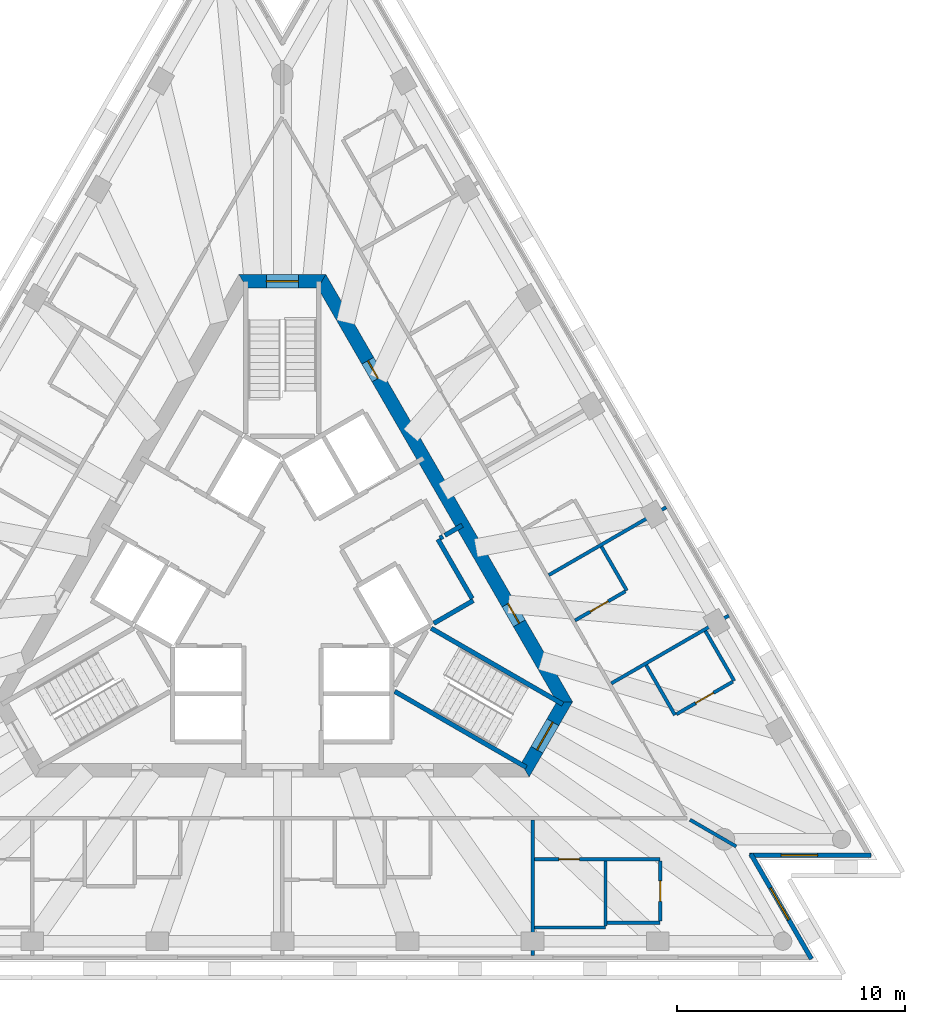
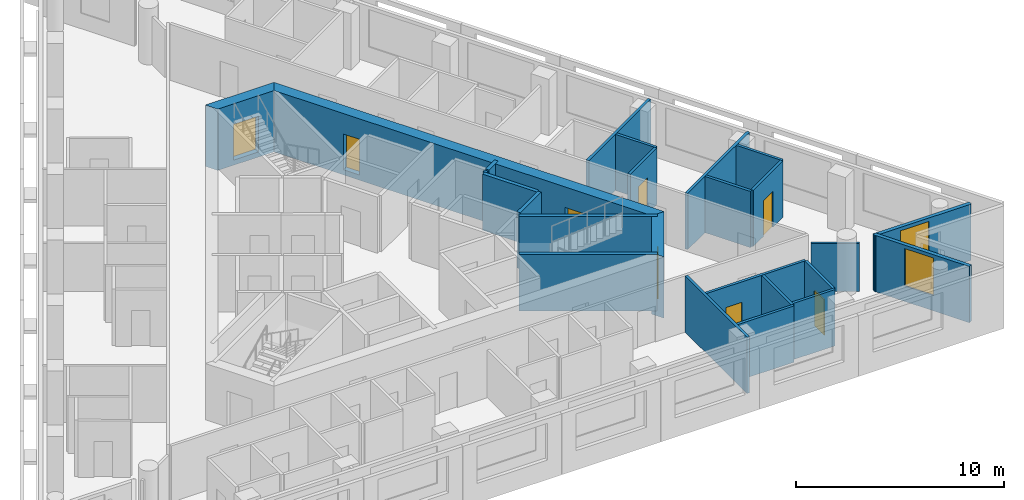
# One storey, part 6 of 9: 25 walls, 8 doors, 2 windows, 10 openings.
"""IFC4 building model written with IfcOpenShell, lengths in metres."""

from ifc_helpers import new_model, si_unit, direction, frame, frame_2d, origin, place, context, subcontext, project, spatial, polyline, rectangle, outline, extrude, material, layer, layer_set, layer_usage, type_object, element, fill, save


model = new_model("IFC4")

# Units and contexts
model_context = context("Model", 3, precision=1e-05, world=origin(), true_north=direction((0.0, 1.0)))
body_context = subcontext(model_context, "Body", "Model", "MODEL_VIEW")
ifc_project = project(units=[si_unit("LENGTHUNIT", "METRE"), si_unit("AREAUNIT", "SQUARE_METRE"), si_unit("VOLUMEUNIT", "CUBIC_METRE"), si_unit("PLANEANGLEUNIT", "RADIAN"), si_unit("MASSUNIT", "GRAM", prefix="KILO")], contexts=[model_context])

# Site, building, storey
site_placement = place(None, origin())
site = spatial("IfcSite", under=ifc_project, at=site_placement, CompositionType="ELEMENT")
building_placement = place(site_placement, origin())
building = spatial("IfcBuilding", under=site, at=building_placement, Name="Triada Interchange Tower", CompositionType="ELEMENT")
storey_placement = place(building_placement, frame((0.0, 0.0, 279.10009765625)))
storey = spatial("IfcBuildingStorey", under=building, at=storey_placement, Name="L65", CompositionType="ELEMENT", Elevation=279.10009765625)

# Walls
ifc_material_1 = material(Name="Concrete C30/37", Category="concrete")
ifc_layer_1 = layer(ifc_material_1, 0.199951171875)
ifc_layer_set_1 = layer_set([ifc_layer_1], Name="CORE WALL 200 EI 120")
wall_type_1 = type_object("IfcWallType", Name="CORE WALL 200 EI 120", PredefinedType="SOLIDWALL", material=ifc_layer_set_1)
wall_1_placement = place(storey_placement, frame((7.12890625, 2.153076171875, 0.0), z_axis=(0.0, 0.0, 1.0), x_axis=(0.866083962871, 0.499898558967, 0.0)))
element("IfcWall", 1, at=wall_1_placement, inside=storey, type_object=wall_type_1, Name="Wall L65 87", PredefinedType="SOLIDWALL", context=body_context, shape_type="SweptSolid", body=[
    extrude(rectangle(XDim=0.880126953125, YDim=0.199951171875, at=frame_2d((0.43994140625, 0.0))), origin(), (0.0, 0.0, 1.0), 3.2998046875),
])
ifc_layer_2 = layer(ifc_material_1, 0.199951171875)
ifc_layer_set_2 = layer_set([ifc_layer_2], Name="CORE WALL 200 EI 90")
wall_type_2 = type_object("IfcWallType", Name="CORE WALL 200 EI 90", PredefinedType="SOLIDWALL", material=ifc_layer_set_2)
wall_2_placement = place(storey_placement, frame((6.64208984375, -1.7080078125, 0.0), z_axis=(0.0, 0.0, 1.0), x_axis=(0.866043441391, 0.499968756647, 0.0)))
element("IfcWall", 2, at=wall_2_placement, inside=storey, type_object=wall_type_2, Name="Wall L65 112", PredefinedType="SOLIDWALL", context=body_context, shape_type="SweptSolid", body=[
    extrude(rectangle(XDim=2.002197265625, YDim=0.199951171875, at=frame_2d((1.0009765625, 0.0))), origin(), (0.0, 0.0, 1.0), 3.2998046875),
])
wall_3_placement = place(storey_placement, frame((6.825927734375, 1.97802734375, 0.0), z_axis=(0.0, 0.0, 1.0), x_axis=(0.499990139034, -0.866031096941, 0.0)))
element("IfcWall", 3, at=wall_3_placement, inside=storey, type_object=wall_type_2, Name="Wall L65 113", PredefinedType="SOLIDWALL", context=body_context, shape_type="SweptSolid", body=[
    extrude(rectangle(XDim=3.0, YDim=0.199951171875, at=frame_2d((1.5, 0.0))), origin(), (0.0, 0.0, 1.0), 3.2998046875),
])
wall_4_placement = place(storey_placement, frame((6.912109375, 2.028076171875, 0.0), z_axis=(0.0, 0.0, 1.0), x_axis=(0.866559367082, 0.499074005857, 0.0)))
element("IfcWall", 4, at=wall_4_placement, inside=storey, type_object=wall_type_2, Name="Wall L65 114", PredefinedType="SOLIDWALL", context=body_context, shape_type="SweptSolid", body=[
    extrude(rectangle(XDim=0.152099609375, YDim=0.199951171875, at=frame_2d((0.076171875, 0.0))), origin(), (0.0, 0.0, 1.0), 3.2998046875),
])
ifc_layer_3 = layer(ifc_material_1, 0.199951171875)
ifc_layer_set_3 = layer_set([ifc_layer_3], Name="CORE WALL 200 REI 240")
wall_type_3 = type_object("IfcWallType", Name="CORE WALL 200 REI 240", PredefinedType="SOLIDWALL", material=ifc_layer_set_3)
wall_5_placement = place(storey_placement, frame((6.529052734375, -1.922119140625, 0.0), z_axis=(0.0, 0.0, 1.0), x_axis=(0.866068467981, -0.499925403204, 0.0)))
element("IfcWall", 5, at=wall_5_placement, inside=storey, type_object=wall_type_3, Name="Wall L65 122", PredefinedType="SOLIDWALL", context=body_context, shape_type="SweptSolid", body=[
    extrude(rectangle(XDim=6.66455078125, YDim=0.199951171875, at=frame_2d((3.332275390625, 0.0))), origin(), (0.0, 0.0, 1.0), 3.2998046875),
])
wall_6_placement = place(storey_placement, frame((4.928955078125, -4.693115234375, 0.0), z_axis=(0.0, 0.0, 1.0), x_axis=(0.866005022404, -0.500035299925, 0.0)))
element("IfcWall", 6, at=wall_6_placement, inside=storey, type_object=wall_type_3, Name="Wall L65 123", PredefinedType="SOLIDWALL", context=body_context, shape_type="SweptSolid", body=[
    extrude(rectangle(XDim=6.6650390625, YDim=0.199951171875, at=frame_2d((3.33251953125, 0.0))), origin(), (0.0, 0.0, 1.0), 3.2998046875),
])

# Wall, opening, door
ifc_material_2 = material(Name="Concrete C40/50", Category="concrete")
ifc_layer_4 = layer(ifc_material_2, 0.60009765625)
ifc_layer_set_4 = layer_set([ifc_layer_4], Name="Core wall D 600")
wall_type_4 = type_object("IfcWallType", Name="Core wall D 600", PredefinedType="SHEAR", material=ifc_layer_set_4)
wall_7_placement = place(storey_placement, frame((1.73193359375, 13.300048828125, -0.300048828125), z_axis=(0.0, 0.0, 1.0), x_axis=(-1.0, 0.0, 0.0)))
wall_7 = element("IfcWall", 7, at=wall_7_placement, inside=storey, type_object=wall_type_4, Name="Core wall WD01 L65", PredefinedType="SHEAR", context=body_context, shape_type="SweptSolid", body=[
    extrude(outline(polyline([(-0.173095703125, -0.300048828125), (1.73193359375, -0.300048828125), (3.636962890625, -0.300048828125), (3.291015625, 0.300048828125), (1.73193359375, 0.300048828125), (0.173095703125, 0.300048828125), (-0.173095703125, -0.300048828125)])), origin(), (0.0, 0.0, 1.0), 3.599853515625),
])
opening_1_placement = place(wall_7_placement, frame((1.031982421875, 0.0, 0.300048828125)))
opening_1 = element("IfcOpeningElement", 8, at=opening_1_placement, cuts=wall_7, Name="Opening D65-49", PredefinedType="OPENING", context=body_context, shape_type="SweptSolid", body=[
    extrude(rectangle(XDim=1.39990234375, YDim=2.10009765625, at=frame_2d((0.699951171875, 1.050048828125))), frame((0.0, 0.31005859375, 0.0), z_axis=(0.0, -1.0, 0.0), x_axis=(1.0, 0.0, 0.0)), (0.0, 0.0, 1.0), 0.6201171875),
])
ifc_material_3 = material(Name="Steel S235 door leaf", Category="steel")
door_type_1 = type_object("IfcDoorType", Name="STAIR DOOR 1400 EI2 90-C5S200", OperationType="DOUBLE_DOOR_SINGLE_SWING", PredefinedType="DOOR", material=ifc_material_3)
door_1_placement = place(opening_1_placement, origin())
door_1 = element("IfcDoor", 9, at=door_1_placement, inside=storey, type_object=door_type_1, Name="Door D65-49 L65", OperationType="DOUBLE_DOOR_SINGLE_SWING", OverallHeight=2.10009765625, OverallWidth=1.39990234375, PredefinedType="DOOR", context=body_context, shape_type="SweptSolid", body=[
    extrude(rectangle(XDim=1.39990234375, YDim=2.10009765625, at=frame_2d((0.699951171875, 1.050048828125))), frame((0.0, 0.02490234375, 0.0), z_axis=(0.0, -1.0, 0.0), x_axis=(1.0, 0.0, 0.0)), (0.0, 0.0, 1.0), 0.050048828125),
])
fill(opening_1, door_1)

wall_8_placement = place(storey_placement, frame((10.652099609375, -8.14990234375, -0.300048828125), z_axis=(0.0, 0.0, 1.0), x_axis=(0.49997462182, 0.866040055388, 0.0)))
wall_8 = element("IfcWall", 10, at=wall_8_placement, inside=storey, type_object=wall_type_4, Name="Core wall WD05 L65", PredefinedType="SHEAR", context=body_context, shape_type="SweptSolid", body=[
    extrude(outline(polyline([(-0.173095703125, -0.300048828125), (1.732421875, -0.300537109375), (3.637939453125, -0.301025390625), (3.291015625, 0.300048828125), (1.73193359375, 0.300048828125), (0.173095703125, 0.300048828125), (-0.173095703125, -0.300048828125)])), origin(), (0.0, 0.0, 1.0), 3.599853515625),
])
opening_2_placement = place(wall_8_placement, frame((1.031982421875, 0.0, 0.300048828125)))
opening_2 = element("IfcOpeningElement", 11, at=opening_2_placement, cuts=wall_8, Name="Opening D65-51", PredefinedType="OPENING", context=body_context, shape_type="SweptSolid", body=[
    extrude(rectangle(XDim=1.39990234375, YDim=2.10009765625, at=frame_2d((0.699951171875, 1.050048828125))), frame((0.0, 0.31005859375, 0.0), z_axis=(0.0, -1.0, 0.0), x_axis=(1.0, 0.0, 0.0)), (0.0, 0.0, 1.0), 0.62109375),
])
door_2_placement = place(opening_2_placement, origin())
door_2 = element("IfcDoor", 12, at=door_2_placement, inside=storey, type_object=door_type_1, Name="Door D65-51 L65", OperationType="DOUBLE_DOOR_SINGLE_SWING", OverallHeight=2.10009765625, OverallWidth=1.39990234375, PredefinedType="DOOR", context=body_context, shape_type="SweptSolid", body=[
    extrude(rectangle(XDim=1.39990234375, YDim=2.10009765625, at=frame_2d((0.699951171875, 1.050048828125))), frame((0.0, 0.02490234375, 0.0), z_axis=(0.0, -1.0, 0.0), x_axis=(1.0, 0.0, 0.0)), (0.0, 0.0, 1.0), 0.050048828125),
])
fill(opening_2, door_2)

# Wall, openings, doors
wall_9_placement = place(storey_placement, frame((12.384033203125, -5.14990234375, -0.300048828125), z_axis=(0.0, 0.0, 1.0), x_axis=(-0.500000539815, 0.866025092122, 0.0)))
wall_9 = element("IfcWall", 13, at=wall_9_placement, inside=storey, type_object=wall_type_4, Name="Core wall WD06 L65", PredefinedType="SHEAR", context=body_context, shape_type="SweptSolid", body=[
    extrude(outline(polyline([(-0.173095703125, -0.301025390625), (1.795166015625, -0.301025390625), (3.76318359375, -0.30078125), (5.7314453125, -0.30078125), (7.69970703125, -0.30078125), (9.66796875, -0.300537109375), (11.635986328125, -0.300537109375), (13.604248046875, -0.30029296875), (15.572509765625, -0.30029296875), (17.540771484375, -0.30029296875), (19.5087890625, -0.300048828125), (21.47705078125, -0.300048828125), (21.131103515625, 0.300048828125), (19.225830078125, 0.300048828125), (17.320556640625, 0.300048828125), (15.415283203125, 0.300048828125), (13.510009765625, 0.300048828125), (11.604736328125, 0.300048828125), (9.699462890625, 0.300048828125), (7.794189453125, 0.300048828125), (5.888916015625, 0.300048828125), (3.983642578125, 0.300048828125), (2.078369140625, 0.300048828125), (0.173095703125, 0.300048828125), (-0.173095703125, -0.301025390625)])), origin(), (0.0, 0.0, 1.0), 3.599853515625),
])
opening_3_placement = place(wall_9_placement, frame((16.3779296875, 0.0, 0.300048828125)))
opening_3 = element("IfcOpeningElement", 14, at=opening_3_placement, cuts=wall_9, Name="Opening D65-55", PredefinedType="OPENING", context=body_context, shape_type="SweptSolid", body=[
    extrude(rectangle(XDim=0.89990234375, YDim=2.10009765625, at=frame_2d((0.449951171875, 1.050048828125))), frame((0.0, 0.31005859375, 0.0), z_axis=(0.0, -1.0, 0.0), x_axis=(1.0, 0.0, 0.0)), (0.0, 0.0, 1.0), 0.62109375),
])
opening_4_placement = place(wall_9_placement, frame((3.97607421875, 0.0, 0.300048828125)))
opening_4 = element("IfcOpeningElement", 15, at=opening_4_placement, cuts=wall_9, Name="Opening D65-57", PredefinedType="OPENING", context=body_context, shape_type="SweptSolid", body=[
    extrude(rectangle(XDim=1.0, YDim=2.10009765625, at=frame_2d((0.5, 1.050048828125))), frame((0.0, 0.31005859375, 0.0), z_axis=(0.0, -1.0, 0.0), x_axis=(1.0, 0.0, 0.0)), (0.0, 0.0, 1.0), 0.62109375),
])
door_type_2 = type_object("IfcDoorType", Name="SERVICE DOOR 1000 EI2 45-C5S200", OperationType="NOTDEFINED", PredefinedType="DOOR", material=ifc_material_3)
door_3_placement = place(opening_4_placement, origin())
door_3 = element("IfcDoor", 16, at=door_3_placement, inside=storey, type_object=door_type_2, Name="Door D65-57 L65", OperationType="SINGLE_SWING_RIGHT", OverallHeight=2.10009765625, OverallWidth=1.0, PredefinedType="DOOR", context=body_context, shape_type="SweptSolid", body=[
    extrude(rectangle(XDim=1.0, YDim=2.10009765625, at=frame_2d((0.5, 1.050048828125))), frame((0.0, 0.02490234375, 0.0), z_axis=(0.0, -1.0, 0.0), x_axis=(1.0, 0.0, 0.0)), (0.0, 0.0, 1.0), 0.050048828125),
])
fill(opening_4, door_3)
door_type_3 = type_object("IfcDoorType", Name="SERVICE DOOR 900 EI2 45-C5S200", OperationType="NOTDEFINED", PredefinedType="DOOR", material=ifc_material_3)
door_4_placement = place(opening_3_placement, origin())
door_4 = element("IfcDoor", 17, at=door_4_placement, inside=storey, type_object=door_type_3, Name="Door D65-55 L65", OperationType="SINGLE_SWING_RIGHT", OverallHeight=2.10009765625, OverallWidth=0.89990234375, PredefinedType="DOOR", context=body_context, shape_type="SweptSolid", body=[
    extrude(rectangle(XDim=0.89990234375, YDim=2.10009765625, at=frame_2d((0.449951171875, 1.050048828125))), frame((0.0, 0.02490234375, 0.0), z_axis=(0.0, -1.0, 0.0), x_axis=(1.0, 0.0, 0.0)), (0.0, 0.0, 1.0), 0.050048828125),
])
fill(opening_3, door_4)

# Wall, opening, window
ifc_material_4 = material(Name="Cement board")
ifc_layer_5 = layer(ifc_material_4, 0.02001953125, Name="Cement board cladding")
ifc_material_5 = material(Name="Sheathing board")
ifc_layer_6 = layer(ifc_material_5, 0.014892578125, Name="Sheathing board")
ifc_material_6 = material(Name="Mineral wool")
ifc_layer_7 = layer(ifc_material_6, 0.14990234375, Name="Mineral wool between steel studs")
ifc_material_7 = material(Name="Gypsum board")
ifc_layer_8 = layer(ifc_material_7, 0.014892578125, Name="Plasterboard lining")
ifc_layer_set_5 = layer_set([ifc_layer_5, ifc_layer_6, ifc_layer_7, ifc_layer_8], Name="External wall 200")
ifc_layer_usage = layer_usage(ifc_layer_set_5, "AXIS2", "POSITIVE", -0.10009765625)
wall_type_5 = type_object("IfcWallType", Name="External wall 200", PredefinedType="ELEMENTEDWALL", material=ifc_layer_set_5)
wall_10_placement = place(storey_placement, frame((23.2099609375, -16.431884765625, 0.0), z_axis=(0.0, 0.0, 1.0), x_axis=(-0.499854840714, 0.866109195318, 0.0)))
wall_10 = element("IfcWall", 18, at=wall_10_placement, inside=storey, type_object=wall_type_5, material=ifc_layer_usage, Name="External wall L65 SE-1", PredefinedType="ELEMENTEDWALL", context=body_context, shape_type="SweptSolid", body=[
    extrude(rectangle(XDim=5.3212890625, YDim=0.199951171875, at=frame_2d((2.66064453125, 0.0))), origin(), (0.0, 0.0, 1.0), 3.2998046875),
])
opening_5_placement = place(wall_10_placement, frame((1.989990234375, 0.0, 0.89990234375)))
opening_5 = element("IfcOpeningElement", 19, at=opening_5_placement, cuts=wall_10, Name="Opening WD19", PredefinedType="OPENING", context=body_context, shape_type="SweptSolid", body=[
    extrude(rectangle(XDim=1.60009765625, YDim=2.199951171875, at=frame_2d((0.800048828125, 1.10009765625))), frame((0.0, 0.10986328125, 0.0), z_axis=(0.0, -1.0, 0.0), x_axis=(1.0, 0.0, 0.0)), (0.0, 0.0, 1.0), 0.219970703125),
])
ifc_material_8 = material(Name="Double glazed aluminium window", Category="aluminium")
window_type = type_object("IfcWindowType", Name="Ribbon window D pocket", PartitioningType="SINGLE_PANEL", PredefinedType="WINDOW", material=ifc_material_8)
window_1_placement = place(opening_5_placement, origin())
window_1 = element("IfcWindow", 20, at=window_1_placement, inside=storey, type_object=window_type, Name="Window L65 SE-1 1", OverallHeight=2.199951171875, OverallWidth=1.60009765625, PartitioningType="SINGLE_PANEL", PredefinedType="WINDOW", context=body_context, shape_type="SweptSolid", body=[
    extrude(rectangle(XDim=1.60009765625, YDim=2.199951171875, at=frame_2d((0.800048828125, 1.10009765625))), frame((0.0, 0.030029296875, 0.0), z_axis=(0.0, -1.0, 0.0), x_axis=(1.0, 0.0, 0.0)), (0.0, 0.0, 1.0), 0.06005859375),
])
fill(opening_5, window_1)

wall_11_placement = place(storey_placement, frame((20.4951171875, -11.884033203125, 0.0), z_axis=(0.0, 0.0, 1.0), x_axis=(1.0, 0.0, 0.0)))
wall_11 = element("IfcWall", 21, at=wall_11_placement, inside=storey, type_object=wall_type_5, material=ifc_layer_usage, Name="External wall L65 SE-2", PredefinedType="ELEMENTEDWALL", context=body_context, shape_type="SweptSolid", body=[
    extrude(rectangle(XDim=5.32080078125, YDim=0.199951171875, at=frame_2d((2.660400390625, 0.0))), origin(), (0.0, 0.0, 1.0), 3.2998046875),
])
opening_6_placement = place(wall_11_placement, frame((1.389892578125, 0.0, 0.89990234375)))
opening_6 = element("IfcOpeningElement", 22, at=opening_6_placement, cuts=wall_11, Name="Opening WD20", PredefinedType="OPENING", context=body_context, shape_type="SweptSolid", body=[
    extrude(rectangle(XDim=1.60009765625, YDim=2.199951171875, at=frame_2d((0.800048828125, 1.10009765625))), frame((0.0, 0.10986328125, 0.0), z_axis=(0.0, -1.0, 0.0), x_axis=(1.0, 0.0, 0.0)), (0.0, 0.0, 1.0), 0.219970703125),
])
window_2_placement = place(opening_6_placement, origin())
window_2 = element("IfcWindow", 23, at=window_2_placement, inside=storey, type_object=window_type, Name="Window L65 SE-2 1", OverallHeight=2.199951171875, OverallWidth=1.60009765625, PartitioningType="SINGLE_PANEL", PredefinedType="WINDOW", context=body_context, shape_type="SweptSolid", body=[
    extrude(rectangle(XDim=1.60009765625, YDim=2.199951171875, at=frame_2d((0.800048828125, 1.10009765625))), frame((0.0, 0.030029296875, 0.0), z_axis=(0.0, -1.0, 0.0), x_axis=(1.0, 0.0, 0.0)), (0.0, 0.0, 1.0), 0.06005859375),
])
fill(opening_6, window_2)

# Walls
ifc_material_9 = material(Name="Gypsum board partition")
ifc_layer_9 = layer(ifc_material_9, 0.14990234375)
ifc_layer_set_6 = layer_set([ifc_layer_9], Name="PARTITION 150 EI 180")
wall_type_6 = type_object("IfcWallType", Name="PARTITION 150 EI 180", PredefinedType="PARTITIONING", material=ifc_layer_set_6)
wall_12_placement = place(storey_placement, frame((17.883056640625, -10.324951171875, 0.0), z_axis=(0.0, 0.0, 1.0), x_axis=(0.865928350888, -0.500168062883, 0.0)))
element("IfcWall", 24, at=wall_12_placement, inside=storey, type_object=wall_type_6, Name="Wall L65 7", PredefinedType="PARTITIONING", context=body_context, shape_type="SweptSolid", body=[
    extrude(rectangle(XDim=2.339599609375, YDim=0.14990234375, at=frame_2d((1.169921875, 0.0))), origin(), (0.0, 0.0, 1.0), 2.7998046875),
])
wall_13_placement = place(storey_placement, frame((10.97607421875, -16.27392578125, 0.0), z_axis=(0.0, 0.0, 1.0), x_axis=(0.0, 1.0, 0.0)))
element("IfcWall", 25, at=wall_13_placement, inside=storey, type_object=wall_type_6, Name="Wall L65 28", PredefinedType="PARTITIONING", context=body_context, shape_type="SweptSolid", body=[
    extrude(rectangle(XDim=5.948974609375, YDim=0.14990234375, at=frame_2d((2.974609375, 0.0))), origin(), (0.0, 0.0, 1.0), 3.2998046875),
])
wall_14_placement = place(storey_placement, frame((11.68603515625, 0.408935546875, 0.0), z_axis=(0.0, 0.0, 1.0), x_axis=(0.865976450533, 0.500084779935, 0.0)))
element("IfcWall", 26, at=wall_14_placement, inside=storey, type_object=wall_type_6, Name="Wall L65 29", PredefinedType="PARTITIONING", context=body_context, shape_type="SweptSolid", body=[
    extrude(rectangle(XDim=5.94921875, YDim=0.14990234375, at=frame_2d((2.974609375, 0.0))), origin(), (0.0, 0.0, 1.0), 3.2998046875),
])
wall_15_placement = place(storey_placement, frame((14.429931640625, -4.343017578125, 0.0), z_axis=(0.0, 0.0, 1.0), x_axis=(0.865986712877, 0.50006700863, 0.0)))
element("IfcWall", 27, at=wall_15_placement, inside=storey, type_object=wall_type_6, Name="Wall L65 30", PredefinedType="PARTITIONING", context=body_context, shape_type="SweptSolid", body=[
    extrude(rectangle(XDim=5.949462890625, YDim=0.14990234375, at=frame_2d((2.974609375, 0.0))), origin(), (0.0, 0.0, 1.0), 3.2998046875),
])

# Wall, opening, door
ifc_layer_10 = layer(ifc_material_9, 0.14990234375)
ifc_layer_set_7 = layer_set([ifc_layer_10], Name="PARTITION 150 EI 90")
wall_type_7 = type_object("IfcWallType", Name="PARTITION 150 EI 90", PredefinedType="PARTITIONING", material=ifc_layer_set_7)
wall_16_placement = place(storey_placement, frame((11.051025390625, -12.050048828125, 0.0), z_axis=(0.0, 0.0, 1.0), x_axis=(1.0, 0.0, 0.0)))
wall_16 = element("IfcWall", 28, at=wall_16_placement, inside=storey, type_object=wall_type_7, Name="Wall L65 40", PredefinedType="PARTITIONING", context=body_context, shape_type="SweptSolid", body=[
    extrude(rectangle(XDim=5.52490234375, YDim=0.14990234375, at=frame_2d((2.762451171875, 0.0))), origin(), (0.0, 0.0, 1.0), 3.2998046875),
])
opening_7_placement = place(wall_16_placement, frame((1.074951171875, 0.0, 0.0)))
opening_7 = element("IfcOpeningElement", 29, at=opening_7_placement, cuts=wall_16, Name="Opening D65-23", PredefinedType="OPENING", context=body_context, shape_type="SweptSolid", body=[
    extrude(rectangle(XDim=0.89990234375, YDim=2.10009765625, at=frame_2d((0.449951171875, 1.050048828125))), frame((0.0, 0.0849609375, 0.0), z_axis=(0.0, -1.0, 0.0), x_axis=(1.0, 0.0, 0.0)), (0.0, 0.0, 1.0), 0.169921875),
])
door_type_4 = type_object("IfcDoorType", Name="ROOM DOOR 900 EI2 45-C5S200", OperationType="NOTDEFINED", PredefinedType="DOOR", material=ifc_material_3)
door_5_placement = place(opening_7_placement, origin())
door_5 = element("IfcDoor", 30, at=door_5_placement, inside=storey, type_object=door_type_4, Name="Door D65-23 L65", OperationType="SINGLE_SWING_RIGHT", OverallHeight=2.10009765625, OverallWidth=0.89990234375, PredefinedType="DOOR", context=body_context, shape_type="SweptSolid", body=[
    extrude(rectangle(XDim=0.89990234375, YDim=2.10009765625, at=frame_2d((0.449951171875, 1.050048828125))), frame((0.0, 0.02490234375, 0.0), z_axis=(0.0, -1.0, 0.0), x_axis=(1.0, 0.0, 0.0)), (0.0, 0.0, 1.0), 0.050048828125),
])
fill(opening_7, door_5)

# Walls
wall_17_placement = place(storey_placement, frame((14.2509765625, -14.85009765625, 0.0), z_axis=(0.0, 0.0, 1.0), x_axis=(1.0, 0.0, 0.0)))
element("IfcWall", 31, at=wall_17_placement, inside=storey, type_object=wall_type_7, Name="Wall L65 43", PredefinedType="PARTITIONING", context=body_context, shape_type="SweptSolid", body=[
    extrude(rectangle(XDim=2.324951171875, YDim=0.14990234375, at=frame_2d((1.16259765625, 0.0))), origin(), (0.0, 0.0, 1.0), 3.2998046875),
])
wall_18_placement = place(storey_placement, frame((11.051025390625, -15.050048828125, 0.0), z_axis=(0.0, 0.0, 1.0), x_axis=(1.0, 0.0, 0.0)))
element("IfcWall", 32, at=wall_18_placement, inside=storey, type_object=wall_type_7, Name="Wall L65 45", PredefinedType="PARTITIONING", context=body_context, shape_type="SweptSolid", body=[
    extrude(rectangle(XDim=3.125, YDim=0.14990234375, at=frame_2d((1.5625, 0.0))), origin(), (0.0, 0.0, 1.0), 3.2998046875),
])
wall_19_placement = place(storey_placement, frame((15.9609375, -3.544921875, 0.0), z_axis=(0.0, 0.0, 1.0), x_axis=(0.499789415832, -0.866146950478, 0.0)))
element("IfcWall", 33, at=wall_19_placement, inside=storey, type_object=wall_type_7, Name="Wall L65 55", PredefinedType="PARTITIONING", context=body_context, shape_type="SweptSolid", body=[
    extrude(rectangle(XDim=2.52490234375, YDim=0.14990234375, at=frame_2d((1.262451171875, 0.0))), origin(), (0.0, 0.0, 1.0), 3.2998046875),
])
wall_20_placement = place(storey_placement, frame((18.55908203125, -2.044921875, 0.0), z_axis=(0.0, 0.0, 1.0), x_axis=(0.500079482444, -0.865979509711, 0.0)))
element("IfcWall", 34, at=wall_20_placement, inside=storey, type_object=wall_type_7, Name="Wall L65 57", PredefinedType="PARTITIONING", context=body_context, shape_type="SweptSolid", body=[
    extrude(rectangle(XDim=2.525390625, YDim=0.14990234375, at=frame_2d((1.2626953125, 0.0))), origin(), (0.0, 0.0, 1.0), 3.2998046875),
])
wall_21_placement = place(storey_placement, frame((13.9970703125, 1.656982421875, 0.0), z_axis=(0.0, 0.0, 1.0), x_axis=(0.499750953666, -0.866169143014, 0.0)))
element("IfcWall", 35, at=wall_21_placement, inside=storey, type_object=wall_type_7, Name="Wall L65 63", PredefinedType="PARTITIONING", context=body_context, shape_type="SweptSolid", body=[
    extrude(rectangle(XDim=2.224853515625, YDim=0.14990234375, at=frame_2d((1.1123046875, 0.0))), origin(), (0.0, 0.0, 1.0), 3.2998046875),
])
wall_22_placement = place(storey_placement, frame((14.176025390625, -14.97509765625, 0.0), z_axis=(0.0, 0.0, 1.0), x_axis=(0.0, 1.0, 0.0)))
element("IfcWall", 36, at=wall_22_placement, inside=storey, type_object=wall_type_7, Name="Wall L65 64", PredefinedType="PARTITIONING", context=body_context, shape_type="SweptSolid", body=[
    extrude(rectangle(XDim=2.85009765625, YDim=0.14990234375, at=frame_2d((1.425048828125, 0.0))), origin(), (0.0, 0.0, 1.0), 3.2998046875),
])

# Wall, opening, door
wall_23_placement = place(storey_placement, frame((12.8359375, -1.58203125, 0.0), z_axis=(0.0, 0.0, 1.0), x_axis=(0.865965520905, 0.500103705848, 0.0)))
wall_23 = element("IfcWall", 37, at=wall_23_placement, inside=storey, type_object=wall_type_7, Name="Wall L65 65", PredefinedType="PARTITIONING", context=body_context, shape_type="SweptSolid", body=[
    extrude(rectangle(XDim=2.5498046875, YDim=0.14990234375, at=frame_2d((1.27490234375, 0.0))), origin(), (0.0, 0.0, 1.0), 3.2998046875),
])
opening_8_placement = place(wall_23_placement, frame((0.77490234375, 0.0, 0.0)))
opening_8 = element("IfcOpeningElement", 38, at=opening_8_placement, cuts=wall_23, Name="Opening D65-28", PredefinedType="OPENING", context=body_context, shape_type="SweptSolid", body=[
    extrude(rectangle(XDim=0.89990234375, YDim=2.10009765625, at=frame_2d((0.449951171875, 1.050048828125))), frame((0.0, 0.0849609375, 0.0), z_axis=(0.0, -1.0, 0.0), x_axis=(1.0, 0.0, 0.0)), (0.0, 0.0, 1.0), 0.169921875),
])
door_6_placement = place(opening_8_placement, origin())
door_6 = element("IfcDoor", 39, at=door_6_placement, inside=storey, type_object=door_type_4, Name="Door D65-28 L65", OperationType="SINGLE_SWING_LEFT", OverallHeight=2.10009765625, OverallWidth=0.89990234375, PredefinedType="DOOR", context=body_context, shape_type="SweptSolid", body=[
    extrude(rectangle(XDim=0.89990234375, YDim=2.10009765625, at=frame_2d((0.449951171875, 1.050048828125))), frame((0.0, 0.02490234375, 0.0), z_axis=(0.0, -1.0, 0.0), x_axis=(1.0, 0.0, 0.0)), (0.0, 0.0, 1.0), 0.050048828125),
])
fill(opening_8, door_6)

wall_24_placement = place(storey_placement, frame((16.575927734375, -14.77490234375, 0.0), z_axis=(0.0, 0.0, 1.0), x_axis=(0.0, 1.0, 0.0)))
wall_24 = element("IfcWall", 40, at=wall_24_placement, inside=storey, type_object=wall_type_7, Name="Wall L65 67", PredefinedType="PARTITIONING", context=body_context, shape_type="SweptSolid", body=[
    extrude(rectangle(XDim=2.64990234375, YDim=0.14990234375, at=frame_2d((1.324951171875, 0.0))), origin(), (0.0, 0.0, 1.0), 3.2998046875),
])
opening_9_placement = place(wall_24_placement, frame((0.875, 0.0, 0.0)))
opening_9 = element("IfcOpeningElement", 41, at=opening_9_placement, cuts=wall_24, Name="Opening D65-24", PredefinedType="OPENING", context=body_context, shape_type="SweptSolid", body=[
    extrude(rectangle(XDim=0.89990234375, YDim=2.10009765625, at=frame_2d((0.449951171875, 1.050048828125))), frame((0.0, 0.0849609375, 0.0), z_axis=(0.0, -1.0, 0.0), x_axis=(1.0, 0.0, 0.0)), (0.0, 0.0, 1.0), 0.169921875),
])
door_7_placement = place(opening_9_placement, origin())
door_7 = element("IfcDoor", 42, at=door_7_placement, inside=storey, type_object=door_type_3, Name="Door D65-24 L65", OperationType="SINGLE_SWING_LEFT", OverallHeight=2.10009765625, OverallWidth=0.89990234375, PredefinedType="DOOR", context=body_context, shape_type="SweptSolid", body=[
    extrude(rectangle(XDim=0.89990234375, YDim=2.10009765625, at=frame_2d((0.449951171875, 1.050048828125))), frame((0.0, 0.02490234375, 0.0), z_axis=(0.0, -1.0, 0.0), x_axis=(1.0, 0.0, 0.0)), (0.0, 0.0, 1.0), 0.050048828125),
])
fill(opening_9, door_7)

wall_25_placement = place(storey_placement, frame((17.2880859375, -5.694091796875, 0.0), z_axis=(0.0, 0.0, 1.0), x_axis=(0.866090043625, 0.499888023795, 0.0)))
wall_25 = element("IfcWall", 43, at=wall_25_placement, inside=storey, type_object=wall_type_7, Name="Wall L65 68", PredefinedType="PARTITIONING", context=body_context, shape_type="SweptSolid", body=[
    extrude(rectangle(XDim=2.850830078125, YDim=0.14990234375, at=frame_2d((1.42529296875, 0.0))), origin(), (0.0, 0.0, 1.0), 3.2998046875),
])
opening_10_placement = place(wall_25_placement, frame((0.97509765625, 0.0, 0.0)))
opening_10 = element("IfcOpeningElement", 44, at=opening_10_placement, cuts=wall_25, Name="Opening D65-26", PredefinedType="OPENING", context=body_context, shape_type="SweptSolid", body=[
    extrude(rectangle(XDim=0.89990234375, YDim=2.10009765625, at=frame_2d((0.449951171875, 1.050048828125))), frame((0.0, 0.0849609375, 0.0), z_axis=(0.0, -1.0, 0.0), x_axis=(1.0, 0.0, 0.0)), (0.0, 0.0, 1.0), 0.169921875),
])
door_8_placement = place(opening_10_placement, origin())
door_8 = element("IfcDoor", 45, at=door_8_placement, inside=storey, type_object=door_type_4, Name="Door D65-26 L65", OperationType="SINGLE_SWING_RIGHT", OverallHeight=2.10009765625, OverallWidth=0.89990234375, PredefinedType="DOOR", context=body_context, shape_type="SweptSolid", body=[
    extrude(rectangle(XDim=0.89990234375, YDim=2.10009765625, at=frame_2d((0.449951171875, 1.050048828125))), frame((0.0, 0.02490234375, 0.0), z_axis=(0.0, -1.0, 0.0), x_axis=(1.0, 0.0, 0.0)), (0.0, 0.0, 1.0), 0.050048828125),
])
fill(opening_10, door_8)

save(model, "model.ifc")
